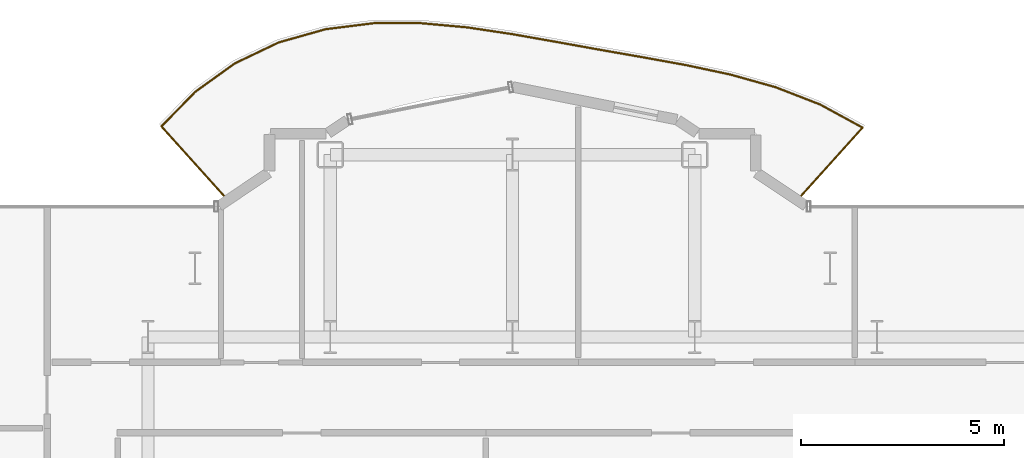
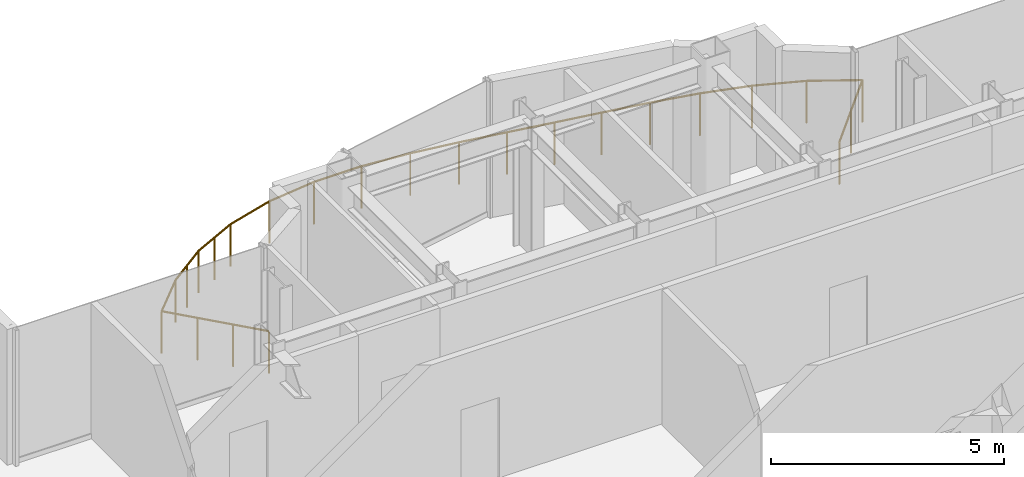
# One storey, part 21 of 21: 1 railing.
"""IFC4 building model written with IfcOpenShell, lengths in metres."""

from ifc_helpers import new_model, si_unit, direction, frame, origin, origin_2d, place, context, subcontext, project, spatial, circle, extrude, material, type_object, element, save


model = new_model("IFC4")

# Units and contexts
model_context = context("Model", 3, precision=1e-05, world=origin(), true_north=direction((0.0, 1.0)))
body_context = subcontext(model_context, "Body", "Model", "MODEL_VIEW")
ifc_project = project(units=[si_unit("LENGTHUNIT", "METRE"), si_unit("AREAUNIT", "SQUARE_METRE"), si_unit("VOLUMEUNIT", "CUBIC_METRE"), si_unit("PLANEANGLEUNIT", "RADIAN"), si_unit("MASSUNIT", "GRAM", prefix="KILO")], contexts=[model_context])

# Site, building, storey
site_placement = place(None, origin())
site = spatial("IfcSite", under=ifc_project, at=site_placement, CompositionType="ELEMENT")
building_placement = place(site_placement, origin())
building = spatial("IfcBuilding", under=site, at=building_placement, Name="Nefas-Gora Pilgrimage Tower", CompositionType="ELEMENT")
storey_placement = place(building_placement, frame((0.0, 0.0, 233.199951171875)))
storey = spatial("IfcBuildingStorey", under=building, at=storey_placement, Name="L58", CompositionType="ELEMENT", Elevation=233.199951171875)

# Railing
ifc_material = material(Name="Laminated safety glass and stainless steel", Category="steel")
railing_type = type_object("IfcRailingType", Name="RLG-BAL-1100", PredefinedType="BALUSTRADE", material=ifc_material)
railing_placement = place(storey_placement, frame((4.802490234375, 21.402587890625, 0.0)))
element("IfcRailing", 1, at=railing_placement, inside=storey, type_object=railing_type, Name="L58 Wave Balcony Balustrade N1", PredefinedType="BALUSTRADE", context=body_context, shape_type="SweptSolid", body=[
    extrude(circle(Radius=0.02392578125, at=origin_2d()), frame((0.0, 0.0, 1.09619140625), z_axis=(0.669135077133, 0.74314079995, 0.0), x_axis=(-0.74314079995, 0.669135077133, 0.0)), (0.0, 0.0, 1.0), 2.375244140625),
    extrude(circle(Radius=0.02392578125, at=origin_2d()), frame((1.58935546875, 1.76513671875, 1.09619140625), z_axis=(-0.878083063922, 0.478508236976, 0.0), x_axis=(-0.478508236976, -0.878083063922, 0.0)), (0.0, 0.0, 1.0), 1.19384765625),
    extrude(circle(Radius=0.02392578125, at=origin_2d()), frame((0.541015625, 2.33642578125, 1.09619140625), z_axis=(-0.932264516766, 0.361777377374, 0.0), x_axis=(-0.361777377374, -0.932264516766, 0.0)), (0.0, 0.0, 1.0), 1.18017578125),
    extrude(circle(Radius=0.02392578125, at=origin_2d()), frame((-0.559326171875, 2.763427734375, 1.09619140625), z_axis=(-0.962944291486, 0.269700373552, 0.0), x_axis=(-0.269700373552, -0.962944291486, 0.0)), (0.0, 0.0, 1.0), 1.156982421875),
    extrude(circle(Radius=0.02392578125, at=origin_2d()), frame((-1.67333984375, 3.075439453125, 1.09619140625), z_axis=(-0.978071187114, 0.208270864351, 0.0), x_axis=(-0.208270864351, -0.978071187114, 0.0)), (0.0, 0.0, 1.0), 1.12646484375),
    extrude(circle(Radius=0.02392578125, at=origin_2d()), frame((-2.775146484375, 3.31005859375, 1.09619140625), z_axis=(-0.983987188897, 0.178239199074, 0.0), x_axis=(-0.178239199074, -0.983987188897, 0.0)), (0.0, 0.0, 1.0), 1.09716796875),
    extrude(circle(Radius=0.02392578125, at=origin_2d()), frame((-3.854736328125, 3.505615234375, 1.09619140625), z_axis=(-0.985033351449, 0.172363849265, 0.0), x_axis=(-0.172363849265, -0.985033351449, 0.0)), (0.0, 0.0, 1.0), 1.077880859375),
    extrude(circle(Radius=0.02392578125, at=origin_2d()), frame((-4.91650390625, 3.69140625, 1.09619140625), z_axis=(-0.984191230585, 0.177109067071, 0.0), x_axis=(-0.177109067071, -0.984191230585, 0.0)), (0.0, 0.0, 1.0), 1.07666015625),
    extrude(circle(Radius=0.02392578125, at=origin_2d()), frame((-5.97607421875, 3.882080078125, 1.09619140625), z_axis=(-0.984747561973, 0.173989192737, 0.0), x_axis=(-0.173989192737, -0.984747561973, 0.0)), (0.0, 0.0, 1.0), 1.093017578125),
    extrude(circle(Radius=0.02392578125, at=origin_2d()), frame((-7.052490234375, 4.072265625, 1.09619140625), z_axis=(-0.98891878254, 0.148457541204, 0.0), x_axis=(-0.148457541204, -0.98891878254, 0.0)), (0.0, 0.0, 1.0), 1.12158203125),
    extrude(circle(Radius=0.02392578125, at=origin_2d()), frame((-8.16162109375, 4.23876953125, 1.09619140625), z_axis=(-0.995840939659, 0.091108851926, 0.0), x_axis=(-0.091108851926, -0.995840939659, 0.0)), (0.0, 0.0, 1.0), 1.15234375),
    extrude(circle(Radius=0.02392578125, at=origin_2d()), frame((-9.30908203125, 4.34375, 1.09619140625), z_axis=(-0.999999806466, -0.000622148366, 0.0), x_axis=(0.000622148366, -0.999999806466, 0.0)), (0.0, 0.0, 1.0), 1.17724609375),
    extrude(circle(Radius=0.02392578125, at=origin_2d()), frame((-10.486328125, 4.343017578125, 1.09619140625), z_axis=(-0.992246343829, -0.124286737661, 0.0), x_axis=(0.124286737661, -0.992246343829, 0.0)), (0.0, 0.0, 1.0), 1.1923828125),
    extrude(circle(Radius=0.02392578125, at=origin_2d()), frame((-11.66943359375, 4.19482421875, 1.09619140625), z_axis=(-0.962380056338, -0.271706877282, 0.0), x_axis=(0.271706877282, -0.962380056338, 0.0)), (0.0, 0.0, 1.0), 1.19873046875),
    extrude(circle(Radius=0.02392578125, at=origin_2d()), frame((-12.822998046875, 3.869140625, 1.09619140625), z_axis=(-0.902687538692, -0.430296650568, 0.0), x_axis=(0.430296650568, -0.902687538692, 0.0)), (0.0, 0.0, 1.0), 1.20068359375),
    extrude(circle(Radius=0.02392578125, at=origin_2d()), frame((-13.90673828125, 3.3525390625, 1.09619140625), z_axis=(-0.812274321028, -0.58327560158, 0.0), x_axis=(0.58327560158, -0.812274321028, 0.0)), (0.0, 0.0, 1.0), 1.200439453125),
    extrude(circle(Radius=0.02392578125, at=origin_2d()), frame((-14.8818359375, 2.65234375, 1.09619140625), z_axis=(-0.699126878219, -0.714997628074, 0.0), x_axis=(0.714997628074, -0.699126878219, 0.0)), (0.0, 0.0, 1.0), 1.199951171875),
    extrude(circle(Radius=0.02392578125, at=origin_2d()), frame((-15.720703125, 1.79443359375, 1.09619140625), z_axis=(0.669132296829, -0.743143303368, 0.0), x_axis=(0.743143303368, 0.669132296829, 0.0)), (0.0, 0.0, 1.0), 2.41455078125),
    extrude(circle(Radius=0.02099609375, at=origin_2d()), origin(), (0.0, 0.0, 1.0), 1.072021484375),
    extrude(circle(Radius=0.02099609375, at=origin_2d()), frame((0.794677734375, 0.882568359375, 0.0)), (0.0, 0.0, 1.0), 1.072021484375),
    extrude(circle(Radius=0.02099609375, at=origin_2d()), frame((1.58935546875, 1.76513671875, 0.0)), (0.0, 0.0, 1.0), 1.072021484375),
    extrude(circle(Radius=0.02099609375, at=origin_2d()), frame((0.541015625, 2.33642578125, 0.0)), (0.0, 0.0, 1.0), 1.072021484375),
    extrude(circle(Radius=0.02099609375, at=origin_2d()), frame((-0.559326171875, 2.763427734375, 0.0)), (0.0, 0.0, 1.0), 1.072021484375),
    extrude(circle(Radius=0.02099609375, at=origin_2d()), frame((-1.67333984375, 3.075439453125, 0.0)), (0.0, 0.0, 1.0), 1.072021484375),
    extrude(circle(Radius=0.02099609375, at=origin_2d()), frame((-2.775146484375, 3.31005859375, 0.0)), (0.0, 0.0, 1.0), 1.072021484375),
    extrude(circle(Radius=0.02099609375, at=origin_2d()), frame((-3.854736328125, 3.505615234375, 0.0)), (0.0, 0.0, 1.0), 1.072021484375),
    extrude(circle(Radius=0.02099609375, at=origin_2d()), frame((-4.91650390625, 3.69140625, 0.0)), (0.0, 0.0, 1.0), 1.072021484375),
    extrude(circle(Radius=0.02099609375, at=origin_2d()), frame((-5.97607421875, 3.882080078125, 0.0)), (0.0, 0.0, 1.0), 1.072021484375),
    extrude(circle(Radius=0.02099609375, at=origin_2d()), frame((-7.052490234375, 4.072265625, 0.0)), (0.0, 0.0, 1.0), 1.072021484375),
    extrude(circle(Radius=0.02099609375, at=origin_2d()), frame((-8.16162109375, 4.23876953125, 0.0)), (0.0, 0.0, 1.0), 1.072021484375),
    extrude(circle(Radius=0.02099609375, at=origin_2d()), frame((-9.30908203125, 4.34375, 0.0)), (0.0, 0.0, 1.0), 1.072021484375),
    extrude(circle(Radius=0.02099609375, at=origin_2d()), frame((-10.486328125, 4.343017578125, 0.0)), (0.0, 0.0, 1.0), 1.072021484375),
    extrude(circle(Radius=0.02099609375, at=origin_2d()), frame((-11.66943359375, 4.19482421875, 0.0)), (0.0, 0.0, 1.0), 1.072021484375),
    extrude(circle(Radius=0.02099609375, at=origin_2d()), frame((-12.822998046875, 3.869140625, 0.0)), (0.0, 0.0, 1.0), 1.072021484375),
    extrude(circle(Radius=0.02099609375, at=origin_2d()), frame((-13.36474609375, 3.61083984375, 0.0)), (0.0, 0.0, 1.0), 1.072021484375),
    extrude(circle(Radius=0.02099609375, at=origin_2d()), frame((-13.90673828125, 3.3525390625, 0.0)), (0.0, 0.0, 1.0), 1.072021484375),
    extrude(circle(Radius=0.02099609375, at=origin_2d()), frame((-14.394287109375, 3.00244140625, 0.0)), (0.0, 0.0, 1.0), 1.072021484375),
    extrude(circle(Radius=0.02099609375, at=origin_2d()), frame((-14.8818359375, 2.65234375, 0.0)), (0.0, 0.0, 1.0), 1.072021484375),
    extrude(circle(Radius=0.02099609375, at=origin_2d()), frame((-15.720703125, 1.79443359375, 0.0)), (0.0, 0.0, 1.0), 1.072021484375),
    extrude(circle(Radius=0.02099609375, at=origin_2d()), frame((-15.18212890625, 1.1962890625, 0.0)), (0.0, 0.0, 1.0), 1.072021484375),
    extrude(circle(Radius=0.02099609375, at=origin_2d()), frame((-14.6435546875, 0.59814453125, 0.0)), (0.0, 0.0, 1.0), 1.072021484375),
    extrude(circle(Radius=0.02099609375, at=origin_2d()), frame((-14.10498046875, 0.0, 0.0)), (0.0, 0.0, 1.0), 1.072021484375),
])

save(model, "model.ifc")
